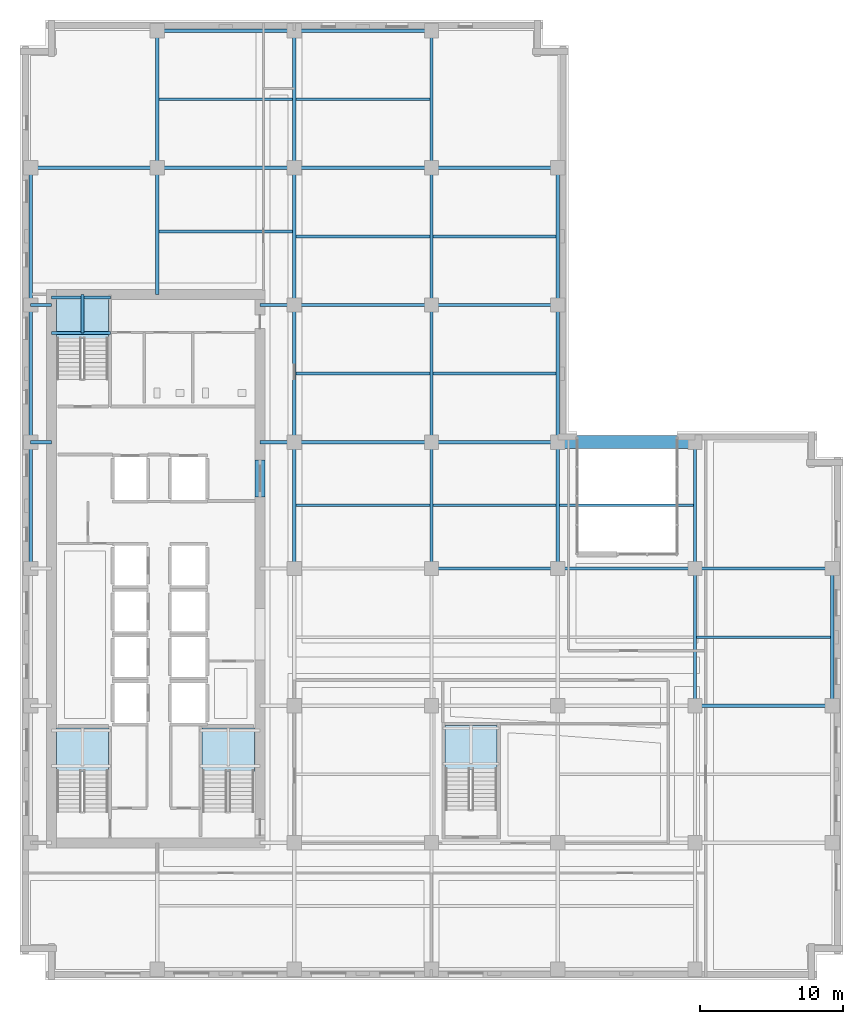
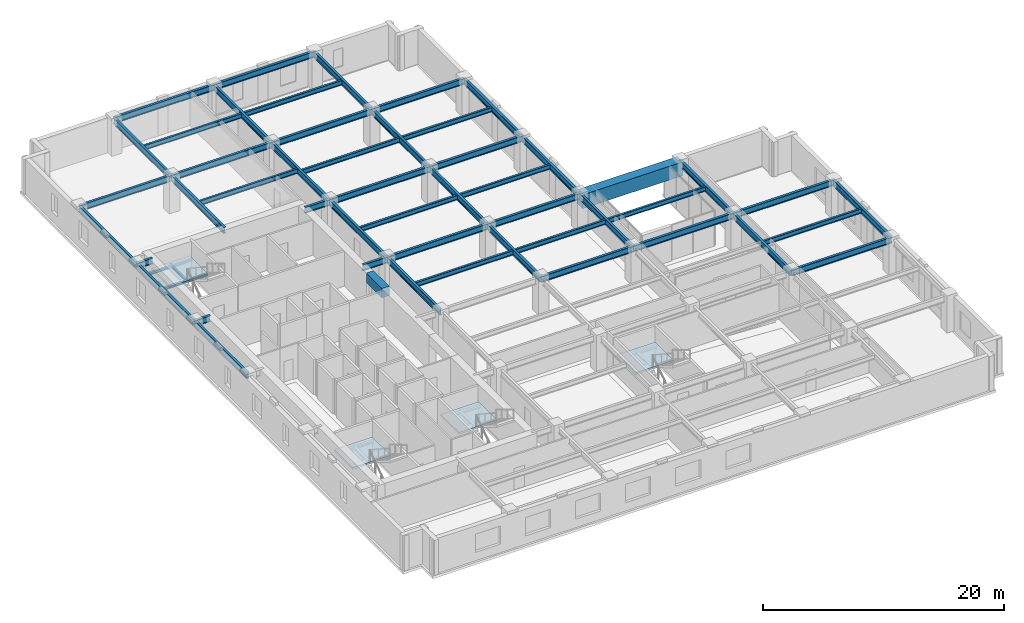
# One storey, part 2 of 14: 53 beams, 4 slabs, 4 elements without a shape of their own.
"""IFC4 building model written with IfcOpenShell, lengths in metres."""

from ifc_helpers import new_model, si_unit, direction, frame, origin, origin_2d, place, context, subcontext, project, spatial, polyline, rectangle, i_section, outline, extrude, material, layer, layer_set, material_profile, profile_set, type_object, element, aggregate, save


model = new_model("IFC4")

# Units and contexts
model_context = context("Model", 3, precision=1e-05, world=origin(), true_north=direction((0.0, 1.0)))
body_context = subcontext(model_context, "Body", "Model", "MODEL_VIEW")
ifc_project = project(units=[si_unit("LENGTHUNIT", "METRE"), si_unit("AREAUNIT", "SQUARE_METRE"), si_unit("VOLUMEUNIT", "CUBIC_METRE"), si_unit("PLANEANGLEUNIT", "RADIAN"), si_unit("MASSUNIT", "GRAM", prefix="KILO")], contexts=[model_context])

# Site, building, storey
site_placement = place(None, origin())
site = spatial("IfcSite", under=ifc_project, at=site_placement, CompositionType="ELEMENT")
building_placement = place(site_placement, origin())
building = spatial("IfcBuilding", under=site, at=building_placement, Name="Norrvale University Quadrangle", CompositionType="ELEMENT")
storey_placement = place(building_placement, frame((0.0, 0.0, 116.60009765625)))
storey = spatial("IfcBuildingStorey", under=building, at=storey_placement, Name="L29", CompositionType="ELEMENT", Elevation=116.60009765625)

# Beams
ifc_material_1 = material(Name="Concrete C80/95", Category="concrete")
ifc_material_profile_1 = material_profile(ifc_material_1, rectangle(XDim=0.699951171875, YDim=0.949951171875, at=origin_2d()), Name="Concrete C80/95")
ifc_profile_set_1 = profile_set([ifc_material_profile_1], Name="Concrete C80/95")
beam_type_1 = type_object("IfcBeamType", Name="Beam Core Link 700x950", PredefinedType="LINTEL", material=ifc_profile_set_1)
beam_1_placement = place(storey_placement, frame((16.800048828125, 33.800048828125, 3.06494140625), z_axis=(0.0, 1.0, 0.0), x_axis=(-1.0, 0.0, 0.0)))
element("IfcBeam", 1, at=beam_1_placement, inside=storey, type_object=beam_type_1, Name="Core Coupling Lintel Beam L29-2", PredefinedType="LINTEL", context=body_context, shape_type="SweptSolid", body=[
    extrude(rectangle(XDim=0.699951171875, YDim=0.949951171875, at=origin_2d()), origin(), (0.0, 0.0, 1.0), 2.599853515625),
])
ifc_material_2 = material(Name="Steel 350W", Category="steel")
ifc_material_profile_2 = material_profile(ifc_material_2, i_section(OverallWidth=0.194091796875, OverallDepth=0.468994140625, WebThickness=0.0126953125, FlangeThickness=0.0205078125, FilletRadius=0.012939453125, at=origin_2d()), Name="Steel 350W")
ifc_profile_set_2 = profile_set([ifc_material_profile_2], Name="Steel 350W")
beam_type_2 = type_object("IfcBeamType", Name="Beam Floor W460x106", PredefinedType="BEAM", material=ifc_profile_set_2)
beam_2_placement = place(storey_placement, frame((9.715087890625, 61.64990234375, 3.305419921875), z_axis=(1.0, 0.0, 0.0), x_axis=(0.0, 1.0, 0.0)))
element("IfcBeam", 2, at=beam_2_placement, inside=storey, type_object=beam_type_2, Name="Beam Floor W460x106 BM-L29-J069", PredefinedType="BEAM", context=body_context, shape_type="SweptSolid", body=[
    extrude(i_section(OverallWidth=0.194091796875, OverallDepth=0.468994140625, WebThickness=0.0126953125, FlangeThickness=0.0205078125, FilletRadius=0.012939453125, at=origin_2d()), origin(), (0.0, 0.0, 1.0), 9.369873046875),
])
for number, where, z_axis, x_axis, name in (
    (3, (19.31494140625, 33.22509765625, 3.305419921875), (1.0, 0.0, 0.0), (0.0, 1.0, 0.0), "Beam Floor W460x106 BM-L29-J073"),
    (4, (19.31494140625, 42.449951171875, 3.305419921875), (1.0, 0.0, 0.0), (0.0, 1.0, 0.0), "Beam Floor W460x106 BM-L29-J074"),
    (5, (19.31494140625, 52.050048828125, 3.305419921875), (1.0, 0.0, 0.0), (0.0, 1.0, 0.0), "Beam Floor W460x106 BM-L29-J075"),
    (6, (19.31494140625, 61.64990234375, 3.305419921875), (1.0, 0.0, 0.0), (0.0, 1.0, 0.0), "Beam Floor W460x106 BM-L29-J076"),
):
    element("IfcBeam", number, at=place(storey_placement, frame(where, z_axis=z_axis, x_axis=x_axis)), inside=storey, type_object=beam_type_2, Name=name, PredefinedType="BEAM", context=body_context, shape_type="SweptSolid", body=[
        extrude(i_section(OverallWidth=0.194091796875, OverallDepth=0.468994140625, WebThickness=0.0126953125, FlangeThickness=0.0205078125, FilletRadius=0.012939453125, at=origin_2d()), origin(), (0.0, 0.0, 1.0), 9.3701171875),
    ])
for number, where, z_axis, x_axis, name in (
    (7, (28.9150390625, 33.22509765625, 3.305419921875), (1.0, 0.0, 0.0), (0.0, 1.0, 0.0), "Beam Floor W460x106 BM-L29-J079"),
    (8, (28.9150390625, 42.449951171875, 3.305419921875), (1.0, 0.0, 0.0), (0.0, 1.0, 0.0), "Beam Floor W460x106 BM-L29-J080"),
    (9, (28.9150390625, 52.050048828125, 3.305419921875), (1.0, 0.0, 0.0), (0.0, 1.0, 0.0), "Beam Floor W460x106 BM-L29-J081"),
):
    element("IfcBeam", number, at=place(storey_placement, frame(where, z_axis=z_axis, x_axis=x_axis)), inside=storey, type_object=beam_type_2, Name=name, PredefinedType="BEAM", context=body_context, shape_type="SweptSolid", body=[
        extrude(i_section(OverallWidth=0.194091796875, OverallDepth=0.468994140625, WebThickness=0.0126953125, FlangeThickness=0.0205078125, FilletRadius=0.012939453125, at=origin_2d()), origin(), (0.0, 0.0, 1.0), 8.619873046875),
    ])
for number, where, z_axis, x_axis, name in (
    (10, (37.764892578125, 33.22509765625, 3.305419921875), (1.0, 0.0, 0.0), (0.0, 1.0, 0.0), "Beam Floor W460x106 BM-L29-J085"),
    (11, (47.364990234375, 24.0, 3.305419921875), (1.0, 0.0, 0.0), (0.0, 1.0, 0.0), "Beam Floor W460x106 BM-L29-J087"),
):
    element("IfcBeam", number, at=place(storey_placement, frame(where, z_axis=z_axis, x_axis=x_axis)), inside=storey, type_object=beam_type_2, Name=name, PredefinedType="BEAM", context=body_context, shape_type="SweptSolid", body=[
        extrude(i_section(OverallWidth=0.194091796875, OverallDepth=0.468994140625, WebThickness=0.0126953125, FlangeThickness=0.0205078125, FilletRadius=0.012939453125, at=origin_2d()), origin(), (0.0, 0.0, 1.0), 9.3701171875),
    ])
beam_3_placement = place(storey_placement, frame((9.715087890625, 52.39990234375, 3.305419921875), z_axis=(1.0, 0.0, 0.0), x_axis=(0.0, 1.0, 0.0)))
element("IfcBeam", 12, at=beam_3_placement, inside=storey, type_object=beam_type_2, Name="Beam Floor W460x106 BM-L29-JCN091", PredefinedType="BEAM", context=body_context, shape_type="SweptSolid", body=[
    extrude(i_section(OverallWidth=0.194091796875, OverallDepth=0.468994140625, WebThickness=0.0126953125, FlangeThickness=0.0205078125, FilletRadius=0.012939453125, at=origin_2d()), origin(), (0.0, 0.0, 1.0), 9.369873046875),
])
ifc_material_profile_3 = material_profile(ifc_material_2, i_section(OverallWidth=0.22998046875, OverallDepth=0.616943359375, WebThickness=0.01318359375, FlangeThickness=0.022216796875, FilletRadius=0.01611328125, at=origin_2d()), Name="Steel 350W")
ifc_profile_set_3 = profile_set([ifc_material_profile_3], Name="Steel 350W")
beam_type_3 = type_object("IfcBeamType", Name="Beam Floor W610x140", PredefinedType="BEAM", material=ifc_profile_set_3)
beam_4_placement = place(storey_placement, frame((47.25, 19.199951171875, 3.2314453125), z_axis=(1.0, 0.0, 0.0), x_axis=(0.0, 1.0, 0.0)))
element("IfcBeam", 13, at=beam_4_placement, inside=storey, type_object=beam_type_3, Name="Beam Floor W610x140 BM-L29-GX012", PredefinedType="BEAM", context=body_context, shape_type="SweptSolid", body=[
    extrude(i_section(OverallWidth=0.22998046875, OverallDepth=0.616943359375, WebThickness=0.01318359375, FlangeThickness=0.022216796875, FilletRadius=0.01611328125, at=origin_2d()), origin(), (0.0, 0.0, 1.0), 9.60009765625),
])
beam_5_placement = place(storey_placement, frame((28.800048828125, 28.800048828125, 3.2314453125), z_axis=(1.0, 0.0, 0.0), x_axis=(0.0, 1.0, 0.0)))
element("IfcBeam", 14, at=beam_5_placement, inside=storey, type_object=beam_type_3, Name="Beam Floor W610x140 BM-L29-GX014", PredefinedType="BEAM", context=body_context, shape_type="SweptSolid", body=[
    extrude(i_section(OverallWidth=0.22998046875, OverallDepth=0.616943359375, WebThickness=0.01318359375, FlangeThickness=0.022216796875, FilletRadius=0.01611328125, at=origin_2d()), origin(), (0.0, 0.0, 1.0), 8.849853515625),
])
for number, where, z_axis, x_axis, name in (
    (15, (37.64990234375, 28.800048828125, 3.2314453125), (1.0, 0.0, 0.0), (0.0, 1.0, 0.0), "Beam Floor W610x140 BM-L29-GX015"),
    (16, (47.25, 28.800048828125, 3.2314453125), (1.0, 0.0, 0.0), (0.0, 1.0, 0.0), "Beam Floor W610x140 BM-L29-GX016"),
    (17, (19.199951171875, 37.64990234375, 3.2314453125), (1.0, 0.0, 0.0), (0.0, 1.0, 0.0), "Beam Floor W610x140 BM-L29-GX017"),
):
    element("IfcBeam", number, at=place(storey_placement, frame(where, z_axis=z_axis, x_axis=x_axis)), inside=storey, type_object=beam_type_3, Name=name, PredefinedType="BEAM", context=body_context, shape_type="SweptSolid", body=[
        extrude(i_section(OverallWidth=0.22998046875, OverallDepth=0.616943359375, WebThickness=0.01318359375, FlangeThickness=0.022216796875, FilletRadius=0.01611328125, at=origin_2d()), origin(), (0.0, 0.0, 1.0), 9.60009765625),
    ])
beam_6_placement = place(storey_placement, frame((28.800048828125, 37.64990234375, 3.2314453125), z_axis=(1.0, 0.0, 0.0), x_axis=(0.0, 1.0, 0.0)))
element("IfcBeam", 18, at=beam_6_placement, inside=storey, type_object=beam_type_3, Name="Beam Floor W610x140 BM-L29-GX018", PredefinedType="BEAM", context=body_context, shape_type="SweptSolid", body=[
    extrude(i_section(OverallWidth=0.22998046875, OverallDepth=0.616943359375, WebThickness=0.01318359375, FlangeThickness=0.022216796875, FilletRadius=0.01611328125, at=origin_2d()), origin(), (0.0, 0.0, 1.0), 8.849853515625),
])
beam_7_placement = place(storey_placement, frame((19.199951171875, 47.25, 3.2314453125), z_axis=(1.0, 0.0, 0.0), x_axis=(0.0, 1.0, 0.0)))
element("IfcBeam", 19, at=beam_7_placement, inside=storey, type_object=beam_type_3, Name="Beam Floor W610x140 BM-L29-GX019", PredefinedType="BEAM", context=body_context, shape_type="SweptSolid", body=[
    extrude(i_section(OverallWidth=0.22998046875, OverallDepth=0.616943359375, WebThickness=0.01318359375, FlangeThickness=0.022216796875, FilletRadius=0.01611328125, at=origin_2d()), origin(), (0.0, 0.0, 1.0), 9.60009765625),
])
beam_8_placement = place(storey_placement, frame((28.800048828125, 47.25, 3.2314453125), z_axis=(1.0, 0.0, 0.0), x_axis=(0.0, 1.0, 0.0)))
element("IfcBeam", 20, at=beam_8_placement, inside=storey, type_object=beam_type_3, Name="Beam Floor W610x140 BM-L29-GX020", PredefinedType="BEAM", context=body_context, shape_type="SweptSolid", body=[
    extrude(i_section(OverallWidth=0.22998046875, OverallDepth=0.616943359375, WebThickness=0.01318359375, FlangeThickness=0.022216796875, FilletRadius=0.01611328125, at=origin_2d()), origin(), (0.0, 0.0, 1.0), 8.849853515625),
])
beam_9_placement = place(storey_placement, frame((0.75, 56.85009765625, 3.2314453125), z_axis=(1.0, 0.0, 0.0), x_axis=(0.0, 1.0, 0.0)))
element("IfcBeam", 21, at=beam_9_placement, inside=storey, type_object=beam_type_3, Name="Beam Floor W610x140 BM-L29-GX021", PredefinedType="BEAM", context=body_context, shape_type="SweptSolid", body=[
    extrude(i_section(OverallWidth=0.22998046875, OverallDepth=0.616943359375, WebThickness=0.01318359375, FlangeThickness=0.022216796875, FilletRadius=0.01611328125, at=origin_2d()), origin(), (0.0, 0.0, 1.0), 8.85009765625),
])
beam_10_placement = place(storey_placement, frame((9.60009765625, 56.85009765625, 3.2314453125), z_axis=(1.0, 0.0, 0.0), x_axis=(0.0, 1.0, 0.0)))
element("IfcBeam", 22, at=beam_10_placement, inside=storey, type_object=beam_type_3, Name="Beam Floor W610x140 BM-L29-GX022", PredefinedType="BEAM", context=body_context, shape_type="SweptSolid", body=[
    extrude(i_section(OverallWidth=0.22998046875, OverallDepth=0.616943359375, WebThickness=0.01318359375, FlangeThickness=0.022216796875, FilletRadius=0.01611328125, at=origin_2d()), origin(), (0.0, 0.0, 1.0), 9.599853515625),
])
beam_11_placement = place(storey_placement, frame((19.199951171875, 56.85009765625, 3.2314453125), z_axis=(1.0, 0.0, 0.0), x_axis=(0.0, 1.0, 0.0)))
element("IfcBeam", 23, at=beam_11_placement, inside=storey, type_object=beam_type_3, Name="Beam Floor W610x140 BM-L29-GX023", PredefinedType="BEAM", context=body_context, shape_type="SweptSolid", body=[
    extrude(i_section(OverallWidth=0.22998046875, OverallDepth=0.616943359375, WebThickness=0.01318359375, FlangeThickness=0.022216796875, FilletRadius=0.01611328125, at=origin_2d()), origin(), (0.0, 0.0, 1.0), 9.60009765625),
])
beam_12_placement = place(storey_placement, frame((28.800048828125, 56.85009765625, 3.2314453125), z_axis=(1.0, 0.0, 0.0), x_axis=(0.0, 1.0, 0.0)))
element("IfcBeam", 24, at=beam_12_placement, inside=storey, type_object=beam_type_3, Name="Beam Floor W610x140 BM-L29-GX024", PredefinedType="BEAM", context=body_context, shape_type="SweptSolid", body=[
    extrude(i_section(OverallWidth=0.22998046875, OverallDepth=0.616943359375, WebThickness=0.01318359375, FlangeThickness=0.022216796875, FilletRadius=0.01611328125, at=origin_2d()), origin(), (0.0, 0.0, 1.0), 8.849853515625),
])
beam_13_placement = place(storey_placement, frame((9.60009765625, 66.449951171875, 3.2314453125), z_axis=(1.0, 0.0, 0.0), x_axis=(0.0, 1.0, 0.0)))
element("IfcBeam", 25, at=beam_13_placement, inside=storey, type_object=beam_type_3, Name="Beam Floor W610x140 BM-L29-GX025", PredefinedType="BEAM", context=body_context, shape_type="SweptSolid", body=[
    extrude(i_section(OverallWidth=0.22998046875, OverallDepth=0.616943359375, WebThickness=0.01318359375, FlangeThickness=0.022216796875, FilletRadius=0.01611328125, at=origin_2d()), origin(), (0.0, 0.0, 1.0), 9.599853515625),
])
beam_14_placement = place(storey_placement, frame((19.199951171875, 66.449951171875, 3.2314453125), z_axis=(1.0, 0.0, 0.0), x_axis=(0.0, 1.0, 0.0)))
element("IfcBeam", 26, at=beam_14_placement, inside=storey, type_object=beam_type_3, Name="Beam Floor W610x140 BM-L29-GX026", PredefinedType="BEAM", context=body_context, shape_type="SweptSolid", body=[
    extrude(i_section(OverallWidth=0.22998046875, OverallDepth=0.616943359375, WebThickness=0.01318359375, FlangeThickness=0.022216796875, FilletRadius=0.01611328125, at=origin_2d()), origin(), (0.0, 0.0, 1.0), 9.60009765625),
])
beam_15_placement = place(storey_placement, frame((0.75, 28.800048828125, 3.2314453125), z_axis=(0.0, 1.0, 0.0), x_axis=(-1.0, 0.0, 0.0)))
element("IfcBeam", 27, at=beam_15_placement, inside=storey, type_object=beam_type_3, Name="Beam Floor W610x140 BM-L29-GY029", PredefinedType="BEAM", context=body_context, shape_type="SweptSolid", body=[
    extrude(i_section(OverallWidth=0.22998046875, OverallDepth=0.616943359375, WebThickness=0.01318359375, FlangeThickness=0.022216796875, FilletRadius=0.01611328125, at=origin_2d()), origin(), (0.0, 0.0, 1.0), 8.849853515625),
])
for number, where, z_axis, x_axis, name in (
    (28, (0.75, 37.64990234375, 3.2314453125), (0.0, 1.0, 0.0), (-1.0, 0.0, 0.0), "Beam Floor W610x140 BM-L29-GY030"),
    (29, (0.75, 47.25, 3.2314453125), (0.0, 1.0, 0.0), (-1.0, 0.0, 0.0), "Beam Floor W610x140 BM-L29-GY031"),
):
    element("IfcBeam", number, at=place(storey_placement, frame(where, z_axis=z_axis, x_axis=x_axis)), inside=storey, type_object=beam_type_3, Name=name, PredefinedType="BEAM", context=body_context, shape_type="SweptSolid", body=[
        extrude(i_section(OverallWidth=0.22998046875, OverallDepth=0.616943359375, WebThickness=0.01318359375, FlangeThickness=0.022216796875, FilletRadius=0.01611328125, at=origin_2d()), origin(), (0.0, 0.0, 1.0), 9.60009765625),
    ])
beam_16_placement = place(storey_placement, frame((9.60009765625, 56.85009765625, 3.2314453125), z_axis=(0.0, 1.0, 0.0), x_axis=(-1.0, 0.0, 0.0)))
element("IfcBeam", 30, at=beam_16_placement, inside=storey, type_object=beam_type_3, Name="Beam Floor W610x140 BM-L29-GY032", PredefinedType="BEAM", context=body_context, shape_type="SweptSolid", body=[
    extrude(i_section(OverallWidth=0.22998046875, OverallDepth=0.616943359375, WebThickness=0.01318359375, FlangeThickness=0.022216796875, FilletRadius=0.01611328125, at=origin_2d()), origin(), (0.0, 0.0, 1.0), 9.599853515625),
])
beam_17_placement = place(storey_placement, frame((19.199951171875, 28.800048828125, 3.2314453125), z_axis=(0.0, 1.0, 0.0), x_axis=(-1.0, 0.0, 0.0)))
element("IfcBeam", 31, at=beam_17_placement, inside=storey, type_object=beam_type_3, Name="Beam Floor W610x140 BM-L29-GY036", PredefinedType="BEAM", context=body_context, shape_type="SweptSolid", body=[
    extrude(i_section(OverallWidth=0.22998046875, OverallDepth=0.616943359375, WebThickness=0.01318359375, FlangeThickness=0.022216796875, FilletRadius=0.01611328125, at=origin_2d()), origin(), (0.0, 0.0, 1.0), 8.849853515625),
])
for number, where, z_axis, x_axis, name in (
    (32, (19.199951171875, 37.64990234375, 3.2314453125), (0.0, 1.0, 0.0), (-1.0, 0.0, 0.0), "Beam Floor W610x140 BM-L29-GY037"),
    (33, (19.199951171875, 47.25, 3.2314453125), (0.0, 1.0, 0.0), (-1.0, 0.0, 0.0), "Beam Floor W610x140 BM-L29-GY038"),
):
    element("IfcBeam", number, at=place(storey_placement, frame(where, z_axis=z_axis, x_axis=x_axis)), inside=storey, type_object=beam_type_3, Name=name, PredefinedType="BEAM", context=body_context, shape_type="SweptSolid", body=[
        extrude(i_section(OverallWidth=0.22998046875, OverallDepth=0.616943359375, WebThickness=0.01318359375, FlangeThickness=0.022216796875, FilletRadius=0.01611328125, at=origin_2d()), origin(), (0.0, 0.0, 1.0), 9.60009765625),
    ])
beam_18_placement = place(storey_placement, frame((19.199951171875, 56.85009765625, 3.2314453125), z_axis=(0.0, 1.0, 0.0), x_axis=(-1.0, 0.0, 0.0)))
element("IfcBeam", 34, at=beam_18_placement, inside=storey, type_object=beam_type_3, Name="Beam Floor W610x140 BM-L29-GY039", PredefinedType="BEAM", context=body_context, shape_type="SweptSolid", body=[
    extrude(i_section(OverallWidth=0.22998046875, OverallDepth=0.616943359375, WebThickness=0.01318359375, FlangeThickness=0.022216796875, FilletRadius=0.01611328125, at=origin_2d()), origin(), (0.0, 0.0, 1.0), 9.599853515625),
])
beam_19_placement = place(storey_placement, frame((28.800048828125, 28.800048828125, 3.2314453125), z_axis=(0.0, 1.0, 0.0), x_axis=(-1.0, 0.0, 0.0)))
element("IfcBeam", 35, at=beam_19_placement, inside=storey, type_object=beam_type_3, Name="Beam Floor W610x140 BM-L29-GY043", PredefinedType="BEAM", context=body_context, shape_type="SweptSolid", body=[
    extrude(i_section(OverallWidth=0.22998046875, OverallDepth=0.616943359375, WebThickness=0.01318359375, FlangeThickness=0.022216796875, FilletRadius=0.01611328125, at=origin_2d()), origin(), (0.0, 0.0, 1.0), 8.849853515625),
])
for number, where, z_axis, x_axis, name in (
    (36, (28.800048828125, 37.64990234375, 3.2314453125), (0.0, 1.0, 0.0), (-1.0, 0.0, 0.0), "Beam Floor W610x140 BM-L29-GY044"),
    (37, (28.800048828125, 47.25, 3.2314453125), (0.0, 1.0, 0.0), (-1.0, 0.0, 0.0), "Beam Floor W610x140 BM-L29-GY045"),
):
    element("IfcBeam", number, at=place(storey_placement, frame(where, z_axis=z_axis, x_axis=x_axis)), inside=storey, type_object=beam_type_3, Name=name, PredefinedType="BEAM", context=body_context, shape_type="SweptSolid", body=[
        extrude(i_section(OverallWidth=0.22998046875, OverallDepth=0.616943359375, WebThickness=0.01318359375, FlangeThickness=0.022216796875, FilletRadius=0.01611328125, at=origin_2d()), origin(), (0.0, 0.0, 1.0), 9.60009765625),
    ])
beam_20_placement = place(storey_placement, frame((28.800048828125, 56.85009765625, 3.2314453125), z_axis=(0.0, 1.0, 0.0), x_axis=(-1.0, 0.0, 0.0)))
element("IfcBeam", 38, at=beam_20_placement, inside=storey, type_object=beam_type_3, Name="Beam Floor W610x140 BM-L29-GY046", PredefinedType="BEAM", context=body_context, shape_type="SweptSolid", body=[
    extrude(i_section(OverallWidth=0.22998046875, OverallDepth=0.616943359375, WebThickness=0.01318359375, FlangeThickness=0.022216796875, FilletRadius=0.01611328125, at=origin_2d()), origin(), (0.0, 0.0, 1.0), 9.599853515625),
])
beam_21_placement = place(storey_placement, frame((37.64990234375, 28.800048828125, 3.2314453125), z_axis=(0.0, 1.0, 0.0), x_axis=(-1.0, 0.0, 0.0)))
element("IfcBeam", 39, at=beam_21_placement, inside=storey, type_object=beam_type_3, Name="Beam Floor W610x140 BM-L29-GY050", PredefinedType="BEAM", context=body_context, shape_type="SweptSolid", body=[
    extrude(i_section(OverallWidth=0.22998046875, OverallDepth=0.616943359375, WebThickness=0.01318359375, FlangeThickness=0.022216796875, FilletRadius=0.01611328125, at=origin_2d()), origin(), (0.0, 0.0, 1.0), 8.849853515625),
])
for number, where, z_axis, x_axis, name in (
    (40, (37.64990234375, 37.64990234375, 3.2314453125), (0.0, 1.0, 0.0), (-1.0, 0.0, 0.0), "Beam Floor W610x140 BM-L29-GY051"),
    (41, (37.64990234375, 47.25, 3.2314453125), (0.0, 1.0, 0.0), (-1.0, 0.0, 0.0), "Beam Floor W610x140 BM-L29-GY052"),
    (42, (47.25, 19.199951171875, 3.2314453125), (0.0, 1.0, 0.0), (-1.0, 0.0, 0.0), "Beam Floor W610x140 BM-L29-GY055"),
):
    element("IfcBeam", number, at=place(storey_placement, frame(where, z_axis=z_axis, x_axis=x_axis)), inside=storey, type_object=beam_type_3, Name=name, PredefinedType="BEAM", context=body_context, shape_type="SweptSolid", body=[
        extrude(i_section(OverallWidth=0.22998046875, OverallDepth=0.616943359375, WebThickness=0.01318359375, FlangeThickness=0.022216796875, FilletRadius=0.01611328125, at=origin_2d()), origin(), (0.0, 0.0, 1.0), 9.60009765625),
    ])
beam_22_placement = place(storey_placement, frame((47.25, 28.800048828125, 3.2314453125), z_axis=(0.0, 1.0, 0.0), x_axis=(-1.0, 0.0, 0.0)))
element("IfcBeam", 43, at=beam_22_placement, inside=storey, type_object=beam_type_3, Name="Beam Floor W610x140 BM-L29-GY056", PredefinedType="BEAM", context=body_context, shape_type="SweptSolid", body=[
    extrude(i_section(OverallWidth=0.22998046875, OverallDepth=0.616943359375, WebThickness=0.01318359375, FlangeThickness=0.022216796875, FilletRadius=0.01611328125, at=origin_2d()), origin(), (0.0, 0.0, 1.0), 8.849853515625),
])
beam_23_placement = place(storey_placement, frame((56.85009765625, 19.199951171875, 3.2314453125), z_axis=(0.0, 1.0, 0.0), x_axis=(-1.0, 0.0, 0.0)))
element("IfcBeam", 44, at=beam_23_placement, inside=storey, type_object=beam_type_3, Name="Beam Floor W610x140 BM-L29-GY058", PredefinedType="BEAM", context=body_context, shape_type="SweptSolid", body=[
    extrude(i_section(OverallWidth=0.22998046875, OverallDepth=0.616943359375, WebThickness=0.01318359375, FlangeThickness=0.022216796875, FilletRadius=0.01611328125, at=origin_2d()), origin(), (0.0, 0.0, 1.0), 9.60009765625),
])
beam_24_placement = place(storey_placement, frame((0.75, 37.64990234375, 3.2314453125), z_axis=(1.0, 0.0, 0.0), x_axis=(0.0, 1.0, 0.0)))
element("IfcBeam", 45, at=beam_24_placement, inside=storey, type_object=beam_type_3, Name="Beam Floor W610x140 BM-L29-GCW065", PredefinedType="BEAM", context=body_context, shape_type="SweptSolid", body=[
    extrude(i_section(OverallWidth=0.22998046875, OverallDepth=0.616943359375, WebThickness=0.01318359375, FlangeThickness=0.022216796875, FilletRadius=0.01611328125, at=origin_2d()), origin(), (0.0, 0.0, 1.0), 1.449951171875),
])
beam_25_placement = place(storey_placement, frame((16.800048828125, 37.64990234375, 3.2314453125), z_axis=(1.0, 0.0, 0.0), x_axis=(0.0, 1.0, 0.0)))
element("IfcBeam", 46, at=beam_25_placement, inside=storey, type_object=beam_type_3, Name="Beam Floor W610x140 BM-L29-GCE066", PredefinedType="BEAM", context=body_context, shape_type="SweptSolid", body=[
    extrude(i_section(OverallWidth=0.22998046875, OverallDepth=0.616943359375, WebThickness=0.01318359375, FlangeThickness=0.022216796875, FilletRadius=0.01611328125, at=origin_2d()), origin(), (0.0, 0.0, 1.0), 2.39990234375),
])
beam_26_placement = place(storey_placement, frame((0.75, 47.25, 3.2314453125), z_axis=(1.0, 0.0, 0.0), x_axis=(0.0, 1.0, 0.0)))
element("IfcBeam", 47, at=beam_26_placement, inside=storey, type_object=beam_type_3, Name="Beam Floor W610x140 BM-L29-GCW067", PredefinedType="BEAM", context=body_context, shape_type="SweptSolid", body=[
    extrude(i_section(OverallWidth=0.22998046875, OverallDepth=0.616943359375, WebThickness=0.01318359375, FlangeThickness=0.022216796875, FilletRadius=0.01611328125, at=origin_2d()), origin(), (0.0, 0.0, 1.0), 1.449951171875),
])
beam_27_placement = place(storey_placement, frame((16.800048828125, 47.25, 3.2314453125), z_axis=(1.0, 0.0, 0.0), x_axis=(0.0, 1.0, 0.0)))
element("IfcBeam", 48, at=beam_27_placement, inside=storey, type_object=beam_type_3, Name="Beam Floor W610x140 BM-L29-GCE068", PredefinedType="BEAM", context=body_context, shape_type="SweptSolid", body=[
    extrude(i_section(OverallWidth=0.22998046875, OverallDepth=0.616943359375, WebThickness=0.01318359375, FlangeThickness=0.022216796875, FilletRadius=0.01611328125, at=origin_2d()), origin(), (0.0, 0.0, 1.0), 2.39990234375),
])
beam_28_placement = place(storey_placement, frame((9.60009765625, 48.0, 3.2314453125), z_axis=(0.0, 1.0, 0.0), x_axis=(-1.0, 0.0, 0.0)))
element("IfcBeam", 49, at=beam_28_placement, inside=storey, type_object=beam_type_3, Name="Beam Floor W610x140 BM-L29-GCN090", PredefinedType="BEAM", context=body_context, shape_type="SweptSolid", body=[
    extrude(i_section(OverallWidth=0.22998046875, OverallDepth=0.616943359375, WebThickness=0.01318359375, FlangeThickness=0.022216796875, FilletRadius=0.01611328125, at=origin_2d()), origin(), (0.0, 0.0, 1.0), 8.85009765625),
])
ifc_material_profile_4 = material_profile(ifc_material_2, i_section(OverallWidth=0.201904296875, OverallDepth=0.2470703125, WebThickness=0.00732421875, FlangeThickness=0.010986328125, FilletRadius=0.011962890625, at=origin_2d()), Name="Steel 350W")
ifc_profile_set_4 = profile_set([ifc_material_profile_4], Name="Steel 350W")
beam_type_4 = type_object("IfcBeamType", Name="Beam Stair W250x49", PredefinedType="BEAM", material=ifc_profile_set_4)
for number, where, z_axis, x_axis, name in (
    (50, (2.199951171875, 45.2900390625, 1.576416015625), (1.0, 0.0, 0.0), (0.0, 1.0, 0.0), "Stair Mid-Landing Front Beam ST-02 L29"),
    (51, (2.199951171875, 47.77001953125, 1.576416015625), (1.0, 0.0, 0.0), (0.0, 1.0, 0.0), "Stair Mid-Landing Rear Beam ST-02 L29"),
):
    element("IfcBeam", number, at=place(storey_placement, frame(where, z_axis=z_axis, x_axis=x_axis)), inside=storey, type_object=beam_type_4, Name=name, PredefinedType="BEAM", context=body_context, shape_type="SweptSolid", body=[
        extrude(i_section(OverallWidth=0.201904296875, OverallDepth=0.2470703125, WebThickness=0.00732421875, FlangeThickness=0.010986328125, FilletRadius=0.011962890625, at=origin_2d()), origin(), (0.0, 0.0, 1.0), 4.14013671875),
    ])
ifc_material_3 = material(Name="Concrete C60/75", Category="concrete")
ifc_material_profile_5 = material_profile(ifc_material_3, rectangle(XDim=0.89990234375, YDim=1.39990234375, at=origin_2d()), Name="Concrete C60/75")
ifc_profile_set_5 = profile_set([ifc_material_profile_5], Name="Concrete C60/75")
beam_type_5 = type_object("IfcBeamType", Name="Beam Transfer 900x1400", PredefinedType="USERDEFINED", material=ifc_profile_set_5)
beam_29_placement = place(storey_placement, frame((37.64990234375, 37.64990234375, 2.83984375), z_axis=(1.0, 0.0, 0.0), x_axis=(0.0, 1.0, 0.0)))
element("IfcBeam", 52, at=beam_29_placement, inside=storey, type_object=beam_type_5, Name="Setback Transfer Girder L29-27", ObjectType="TRANSFER GIRDER", PredefinedType="USERDEFINED", context=body_context, shape_type="SweptSolid", body=[
    extrude(rectangle(XDim=0.89990234375, YDim=1.39990234375, at=origin_2d()), origin(), (0.0, 0.0, 1.0), 9.60009765625),
])
ifc_material_profile_6 = material_profile(ifc_material_2, i_section(OverallWidth=0.202880859375, OverallDepth=0.202880859375, WebThickness=0.007080078125, FlangeThickness=0.010986328125, FilletRadius=0.010009765625, at=origin_2d()), Name="Steel 350W")
ifc_profile_set_6 = profile_set([ifc_material_profile_6], Name="Steel 350W")
beam_type_6 = type_object("IfcBeamType", Name="Beam Trim W200x46", PredefinedType="BEAM", material=ifc_profile_set_6)
beam_30_placement = place(storey_placement, frame((4.375, 45.2900390625, 1.598388671875), z_axis=(0.0, 1.0, 0.0), x_axis=(-1.0, 0.0, 0.0)))
element("IfcBeam", 53, at=beam_30_placement, inside=storey, type_object=beam_type_6, Name="Stair Mid-Landing Cross Beam ST-02 L29", PredefinedType="BEAM", context=body_context, shape_type="SweptSolid", body=[
    extrude(i_section(OverallWidth=0.202880859375, OverallDepth=0.202880859375, WebThickness=0.007080078125, FlangeThickness=0.010986328125, FilletRadius=0.010009765625, at=origin_2d()), origin(), (0.0, 0.0, 1.0), 2.7099609375),
])

# Stair, slab
ifc_material_4 = material(Name="Concrete C40/50", Category="concrete")
stair_type = type_object("IfcStairType", Name="Stair Tower Typ 3800", PredefinedType="TWO_STRAIGHT_RUN_STAIR", material=ifc_material_4)
stair_1_placement = place(storey_placement, origin())
stair_1 = element("IfcStair", 54, at=stair_1_placement, inside=storey, type_object=stair_type, Name="Exit Stair ST-01 L29", PredefinedType="TWO_STRAIGHT_RUN_STAIR")
ifc_layer = layer(ifc_material_4, 0.199951171875, Name="Concrete C40/50")
ifc_layer_set = layer_set([ifc_layer], Name="Concrete C40/50")
slab_type = type_object("IfcSlabType", Name="Slab Landing 200", PredefinedType="LANDING", material=ifc_layer_set)
slab_1_placement = place(storey_placement, frame((0.0, 0.0, 1.699951171875)))
slab_1 = element("IfcSlab", 55, at=slab_1_placement, type_object=slab_type, Name="Exit Stair ST-01 L29 Mid Landing", PredefinedType="LANDING", context=body_context, shape_type="SweptSolid", body=[
    extrude(outline(polyline([(2.550048828125, 14.590087890625), (6.199951171875, 14.590087890625), (6.199951171875, 17.64990234375), (2.550048828125, 17.64990234375), (2.550048828125, 14.590087890625)])), origin(), (0.0, 0.0, 1.0), 0.199951171875),
])
aggregate(stair_1, [slab_1])

stair_2_placement = place(storey_placement, origin())
stair_2 = element("IfcStair", 56, at=stair_2_placement, inside=storey, type_object=stair_type, Name="Exit Stair ST-02 L29", PredefinedType="TWO_STRAIGHT_RUN_STAIR")
slab_2_placement = place(storey_placement, frame((0.0, 0.0, 1.699951171875)))
slab_2 = element("IfcSlab", 57, at=slab_2_placement, type_object=slab_type, Name="Exit Stair ST-02 L29 Mid Landing", PredefinedType="LANDING", context=body_context, shape_type="SweptSolid", body=[
    extrude(outline(polyline([(2.550048828125, 44.889892578125), (6.199951171875, 44.889892578125), (6.199951171875, 47.949951171875), (2.550048828125, 47.949951171875), (2.550048828125, 44.889892578125)])), origin(), (0.0, 0.0, 1.0), 0.199951171875),
])
aggregate(stair_2, [slab_2])

stair_3_placement = place(storey_placement, origin())
stair_3 = element("IfcStair", 58, at=stair_3_placement, inside=storey, type_object=stair_type, Name="Exit Stair ST-03 L29", PredefinedType="TWO_STRAIGHT_RUN_STAIR")
slab_3_placement = place(storey_placement, frame((0.0, 0.0, 1.699951171875)))
slab_3 = element("IfcSlab", 59, at=slab_3_placement, type_object=slab_type, Name="Exit Stair ST-03 L29 Mid Landing", PredefinedType="LANDING", context=body_context, shape_type="SweptSolid", body=[
    extrude(outline(polyline([(12.75, 14.590087890625), (16.39990234375, 14.590087890625), (16.39990234375, 17.64990234375), (12.75, 17.64990234375), (12.75, 14.590087890625)])), origin(), (0.0, 0.0, 1.0), 0.199951171875),
])
aggregate(stair_3, [slab_3])

stair_4_placement = place(storey_placement, origin())
stair_4 = element("IfcStair", 60, at=stair_4_placement, inside=storey, type_object=stair_type, Name="Exit Stair ST-04 L29", PredefinedType="TWO_STRAIGHT_RUN_STAIR")
slab_4_placement = place(storey_placement, frame((0.0, 0.0, 1.699951171875)))
slab_4 = element("IfcSlab", 61, at=slab_4_placement, type_object=slab_type, Name="Exit Stair ST-04 L29 Mid Landing", PredefinedType="LANDING", context=body_context, shape_type="SweptSolid", body=[
    extrude(outline(polyline([(29.75, 14.739990234375), (33.39990234375, 14.739990234375), (33.39990234375, 17.800048828125), (29.75, 17.800048828125), (29.75, 14.739990234375)])), origin(), (0.0, 0.0, 1.0), 0.199951171875),
])
aggregate(stair_4, [slab_4])

save(model, "model.ifc")
